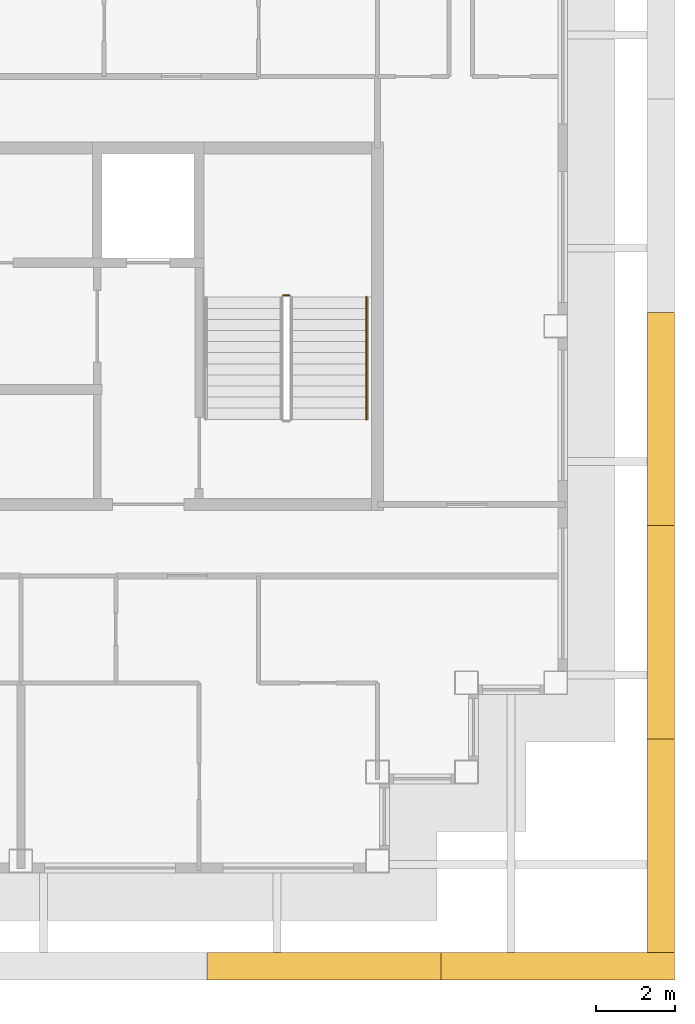
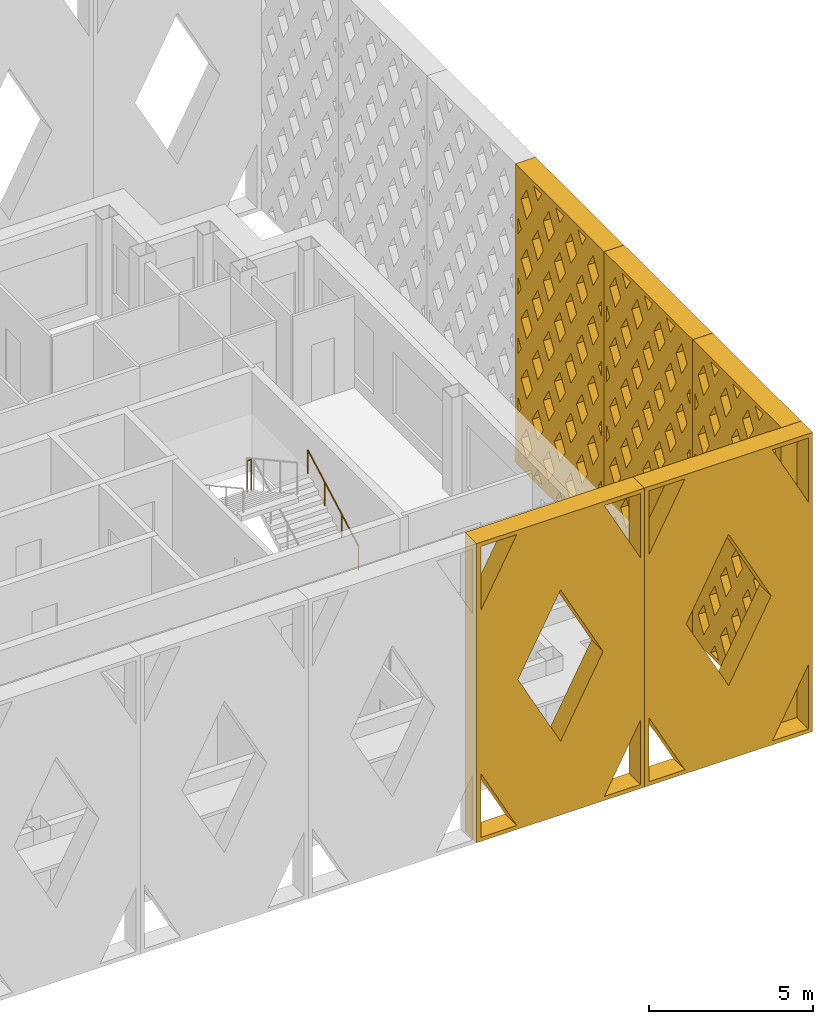
# One storey, part 12 of 13: 5 shading devices, 2 railings.
"""IFC4 building model written with IfcOpenShell, lengths in metres."""

from ifc_helpers import new_model, si_unit, direction, frame, origin, origin_2d, place, context, subcontext, project, spatial, polyline, circle, outline, extrude, material, type_object, element, save


model = new_model("IFC4")

# Units and contexts
model_context = context("Model", 3, precision=1e-05, world=origin(), true_north=direction((0.0, 1.0)))
body_context = subcontext(model_context, "Body", "Model", "MODEL_VIEW")
ifc_project = project(units=[si_unit("LENGTHUNIT", "METRE"), si_unit("AREAUNIT", "SQUARE_METRE"), si_unit("VOLUMEUNIT", "CUBIC_METRE"), si_unit("PLANEANGLEUNIT", "RADIAN"), si_unit("MASSUNIT", "GRAM", prefix="KILO")], contexts=[model_context])

# Site, building, storey
site_placement = place(None, origin())
site = spatial("IfcSite", under=ifc_project, at=site_placement, CompositionType="ELEMENT")
building_placement = place(site_placement, origin())
building = spatial("IfcBuilding", under=site, at=building_placement, Name="Caravel Reach Hotel and Residences", CompositionType="ELEMENT")
storey_placement = place(building_placement, frame((0.0, 0.0, 283.39990234375)))
storey = spatial("IfcBuildingStorey", under=building, at=storey_placement, Name="L72", CompositionType="ELEMENT", Elevation=283.39990234375)

# Shading devices
ifc_material_1 = material(Name="Black powder-coated aluminium", Category="aluminium")
shading_device_type_1 = type_object("IfcShadingDeviceType", Name="Diamond lattice screen panel 5383 x 11100", PredefinedType="USERDEFINED", material=ifc_material_1)
shading_device_1_placement = place(storey_placement, frame((51.800048828125, 11.199951171875, 0.0), z_axis=(1.0, 0.0, 0.0), x_axis=(0.0, 1.0, 0.0)))
element("IfcShadingDevice", 1, at=shading_device_1_placement, inside=storey, type_object=shading_device_type_1, Name="Lattice screen L72-L74 1.1", ObjectType="SCREEN", PredefinedType="USERDEFINED", context=body_context, shape_type="SweptSolid", body=[
    extrude(outline(polyline([(0.0, 0.0), (5.38330078125, 0.0), (5.38330078125, 11.10009765625), (0.0, 11.10009765625), (0.0, 0.0)]), holes=[polyline([(0.338134765625, 2.219970703125), (0.14990234375, 2.530517578125), (0.14990234375, 1.90966796875), (0.338134765625, 2.219970703125)]), polyline([(0.338134765625, 4.43994140625), (0.14990234375, 4.75048828125), (0.14990234375, 4.129638671875), (0.338134765625, 4.43994140625)]), polyline([(0.338134765625, 6.659912109375), (0.14990234375, 6.970458984375), (0.14990234375, 6.349609375), (0.338134765625, 6.659912109375)]), polyline([(0.338134765625, 8.8798828125), (0.14990234375, 9.1904296875), (0.14990234375, 8.569580078125), (0.338134765625, 8.8798828125)]), polyline([(0.6728515625, 1.667724609375), (0.334716796875, 1.110107421875), (0.6728515625, 0.55224609375), (1.010986328125, 1.110107421875), (0.6728515625, 1.667724609375)]), polyline([(0.6728515625, 3.887939453125), (0.334716796875, 3.330078125), (0.6728515625, 2.772216796875), (1.010986328125, 3.330078125), (0.6728515625, 3.887939453125)]), polyline([(0.6728515625, 6.10791015625), (0.334716796875, 5.550048828125), (0.6728515625, 4.9921875), (1.010986328125, 5.550048828125), (0.6728515625, 6.10791015625)]), polyline([(0.6728515625, 8.327880859375), (0.334716796875, 7.77001953125), (0.6728515625, 7.212158203125), (1.010986328125, 7.77001953125), (0.6728515625, 8.327880859375)]), polyline([(0.6728515625, 10.5478515625), (0.334716796875, 9.989990234375), (0.6728515625, 9.43212890625), (1.010986328125, 9.989990234375), (0.6728515625, 10.5478515625)]), polyline([(1.345947265625, 0.557861328125), (1.0986328125, 0.14990234375), (1.593017578125, 0.14990234375), (1.345947265625, 0.557861328125)]), polyline([(1.345947265625, 2.77783203125), (1.007568359375, 2.219970703125), (1.345947265625, 1.662109375), (1.68408203125, 2.219970703125), (1.345947265625, 2.77783203125)]), polyline([(1.345947265625, 4.997802734375), (1.007568359375, 4.43994140625), (1.345947265625, 3.882080078125), (1.68408203125, 4.43994140625), (1.345947265625, 4.997802734375)]), polyline([(1.345947265625, 7.2177734375), (1.007568359375, 6.659912109375), (1.345947265625, 6.10205078125), (1.68408203125, 6.659912109375), (1.345947265625, 7.2177734375)]), polyline([(1.345947265625, 9.437744140625), (1.007568359375, 8.8798828125), (1.345947265625, 8.322265625), (1.68408203125, 8.8798828125), (1.345947265625, 9.437744140625)]), polyline([(1.345947265625, 10.542236328125), (1.593017578125, 10.949951171875), (1.0986328125, 10.949951171875), (1.345947265625, 10.542236328125)]), polyline([(2.018798828125, 1.667724609375), (1.6806640625, 1.110107421875), (2.018798828125, 0.55224609375), (2.35693359375, 1.110107421875), (2.018798828125, 1.667724609375)]), polyline([(2.018798828125, 3.887939453125), (1.6806640625, 3.330078125), (2.018798828125, 2.772216796875), (2.35693359375, 3.330078125), (2.018798828125, 3.887939453125)]), polyline([(2.018798828125, 6.10791015625), (1.6806640625, 5.550048828125), (2.018798828125, 4.9921875), (2.35693359375, 5.550048828125), (2.018798828125, 6.10791015625)]), polyline([(2.018798828125, 8.327880859375), (1.6806640625, 7.77001953125), (2.018798828125, 7.212158203125), (2.35693359375, 7.77001953125), (2.018798828125, 8.327880859375)]), polyline([(2.018798828125, 10.5478515625), (1.6806640625, 9.989990234375), (2.018798828125, 9.43212890625), (2.35693359375, 9.989990234375), (2.018798828125, 10.5478515625)]), polyline([(2.691650390625, 0.557861328125), (2.4443359375, 0.14990234375), (2.93896484375, 0.14990234375), (2.691650390625, 0.557861328125)]), polyline([(2.691650390625, 2.77783203125), (2.353515625, 2.219970703125), (2.691650390625, 1.662109375), (3.02978515625, 2.219970703125), (2.691650390625, 2.77783203125)]), polyline([(2.691650390625, 4.997802734375), (2.353515625, 4.43994140625), (2.691650390625, 3.882080078125), (3.02978515625, 4.43994140625), (2.691650390625, 4.997802734375)]), polyline([(2.691650390625, 7.2177734375), (2.353515625, 6.659912109375), (2.691650390625, 6.10205078125), (3.02978515625, 6.659912109375), (2.691650390625, 7.2177734375)]), polyline([(2.691650390625, 9.437744140625), (2.353515625, 8.8798828125), (2.691650390625, 8.322265625), (3.02978515625, 8.8798828125), (2.691650390625, 9.437744140625)]), polyline([(2.691650390625, 10.542236328125), (2.93896484375, 10.949951171875), (2.4443359375, 10.949951171875), (2.691650390625, 10.542236328125)]), polyline([(3.364501953125, 1.667724609375), (3.0263671875, 1.110107421875), (3.364501953125, 0.55224609375), (3.702880859375, 1.110107421875), (3.364501953125, 1.667724609375)]), polyline([(3.364501953125, 3.887939453125), (3.0263671875, 3.330078125), (3.364501953125, 2.772216796875), (3.702880859375, 3.330078125), (3.364501953125, 3.887939453125)]), polyline([(3.364501953125, 6.10791015625), (3.0263671875, 5.550048828125), (3.364501953125, 4.9921875), (3.702880859375, 5.550048828125), (3.364501953125, 6.10791015625)]), polyline([(3.364501953125, 8.327880859375), (3.0263671875, 7.77001953125), (3.364501953125, 7.212158203125), (3.702880859375, 7.77001953125), (3.364501953125, 8.327880859375)]), polyline([(3.364501953125, 10.5478515625), (3.0263671875, 9.989990234375), (3.364501953125, 9.43212890625), (3.702880859375, 9.989990234375), (3.364501953125, 10.5478515625)]), polyline([(4.03759765625, 0.557861328125), (3.790283203125, 0.14990234375), (4.28466796875, 0.14990234375), (4.03759765625, 0.557861328125)]), polyline([(4.03759765625, 2.77783203125), (3.69921875, 2.219970703125), (4.03759765625, 1.662109375), (4.375732421875, 2.219970703125), (4.03759765625, 2.77783203125)]), polyline([(4.03759765625, 4.997802734375), (3.69921875, 4.43994140625), (4.03759765625, 3.882080078125), (4.375732421875, 4.43994140625), (4.03759765625, 4.997802734375)]), polyline([(4.03759765625, 7.2177734375), (3.69921875, 6.659912109375), (4.03759765625, 6.10205078125), (4.375732421875, 6.659912109375), (4.03759765625, 7.2177734375)]), polyline([(4.03759765625, 9.437744140625), (3.69921875, 8.8798828125), (4.03759765625, 8.322265625), (4.375732421875, 8.8798828125), (4.03759765625, 9.437744140625)]), polyline([(4.03759765625, 10.542236328125), (4.28466796875, 10.949951171875), (3.790283203125, 10.949951171875), (4.03759765625, 10.542236328125)]), polyline([(4.71044921875, 1.667724609375), (4.372314453125, 1.110107421875), (4.71044921875, 0.55224609375), (5.048583984375, 1.110107421875), (4.71044921875, 1.667724609375)]), polyline([(4.71044921875, 3.887939453125), (4.372314453125, 3.330078125), (4.71044921875, 2.772216796875), (5.048583984375, 3.330078125), (4.71044921875, 3.887939453125)]), polyline([(4.71044921875, 6.10791015625), (4.372314453125, 5.550048828125), (4.71044921875, 4.9921875), (5.048583984375, 5.550048828125), (4.71044921875, 6.10791015625)]), polyline([(4.71044921875, 8.327880859375), (4.372314453125, 7.77001953125), (4.71044921875, 7.212158203125), (5.048583984375, 7.77001953125), (4.71044921875, 8.327880859375)]), polyline([(4.71044921875, 10.5478515625), (4.372314453125, 9.989990234375), (4.71044921875, 9.43212890625), (5.048583984375, 9.989990234375), (4.71044921875, 10.5478515625)]), polyline([(5.045166015625, 2.219970703125), (5.2333984375, 1.90966796875), (5.2333984375, 2.530517578125), (5.045166015625, 2.219970703125)]), polyline([(5.045166015625, 4.43994140625), (5.2333984375, 4.129638671875), (5.2333984375, 4.75048828125), (5.045166015625, 4.43994140625)]), polyline([(5.045166015625, 6.659912109375), (5.2333984375, 6.349609375), (5.2333984375, 6.970458984375), (5.045166015625, 6.659912109375)]), polyline([(5.045166015625, 8.8798828125), (5.2333984375, 8.569580078125), (5.2333984375, 9.1904296875), (5.045166015625, 8.8798828125)])]), origin(), (0.0, 0.0, 1.0), 0.699951171875),
])
shading_device_2_placement = place(storey_placement, frame((51.800048828125, 16.583251953125, 0.0), z_axis=(1.0, 0.0, 0.0), x_axis=(0.0, 1.0, 0.0)))
element("IfcShadingDevice", 2, at=shading_device_2_placement, inside=storey, type_object=shading_device_type_1, Name="Lattice screen L72-L74 1.2", ObjectType="SCREEN", PredefinedType="USERDEFINED", context=body_context, shape_type="SweptSolid", body=[
    extrude(outline(polyline([(0.0, 0.0), (5.38330078125, 0.0), (5.38330078125, 11.10009765625), (0.0, 11.10009765625), (0.0, 0.0)]), holes=[polyline([(0.338134765625, 2.219970703125), (0.14990234375, 2.530517578125), (0.14990234375, 1.90966796875), (0.338134765625, 2.219970703125)]), polyline([(0.338134765625, 4.43994140625), (0.14990234375, 4.75048828125), (0.14990234375, 4.129638671875), (0.338134765625, 4.43994140625)]), polyline([(0.338134765625, 6.659912109375), (0.14990234375, 6.970458984375), (0.14990234375, 6.349609375), (0.338134765625, 6.659912109375)]), polyline([(0.338134765625, 8.8798828125), (0.14990234375, 9.1904296875), (0.14990234375, 8.569580078125), (0.338134765625, 8.8798828125)]), polyline([(0.6728515625, 1.667724609375), (0.334716796875, 1.110107421875), (0.6728515625, 0.55224609375), (1.010986328125, 1.110107421875), (0.6728515625, 1.667724609375)]), polyline([(0.6728515625, 3.887939453125), (0.334716796875, 3.330078125), (0.6728515625, 2.772216796875), (1.010986328125, 3.330078125), (0.6728515625, 3.887939453125)]), polyline([(0.6728515625, 6.10791015625), (0.334716796875, 5.550048828125), (0.6728515625, 4.9921875), (1.010986328125, 5.550048828125), (0.6728515625, 6.10791015625)]), polyline([(0.6728515625, 8.327880859375), (0.334716796875, 7.77001953125), (0.6728515625, 7.212158203125), (1.010986328125, 7.77001953125), (0.6728515625, 8.327880859375)]), polyline([(0.6728515625, 10.5478515625), (0.334716796875, 9.989990234375), (0.6728515625, 9.43212890625), (1.010986328125, 9.989990234375), (0.6728515625, 10.5478515625)]), polyline([(1.345947265625, 0.557861328125), (1.0986328125, 0.14990234375), (1.593017578125, 0.14990234375), (1.345947265625, 0.557861328125)]), polyline([(1.345947265625, 2.77783203125), (1.007568359375, 2.219970703125), (1.345947265625, 1.662109375), (1.68408203125, 2.219970703125), (1.345947265625, 2.77783203125)]), polyline([(1.345947265625, 4.997802734375), (1.007568359375, 4.43994140625), (1.345947265625, 3.882080078125), (1.68408203125, 4.43994140625), (1.345947265625, 4.997802734375)]), polyline([(1.345947265625, 7.2177734375), (1.007568359375, 6.659912109375), (1.345947265625, 6.10205078125), (1.68408203125, 6.659912109375), (1.345947265625, 7.2177734375)]), polyline([(1.345947265625, 9.437744140625), (1.007568359375, 8.8798828125), (1.345947265625, 8.322265625), (1.68408203125, 8.8798828125), (1.345947265625, 9.437744140625)]), polyline([(1.345947265625, 10.542236328125), (1.593017578125, 10.949951171875), (1.0986328125, 10.949951171875), (1.345947265625, 10.542236328125)]), polyline([(2.018798828125, 1.667724609375), (1.6806640625, 1.110107421875), (2.018798828125, 0.55224609375), (2.35693359375, 1.110107421875), (2.018798828125, 1.667724609375)]), polyline([(2.018798828125, 3.887939453125), (1.6806640625, 3.330078125), (2.018798828125, 2.772216796875), (2.35693359375, 3.330078125), (2.018798828125, 3.887939453125)]), polyline([(2.018798828125, 6.10791015625), (1.6806640625, 5.550048828125), (2.018798828125, 4.9921875), (2.35693359375, 5.550048828125), (2.018798828125, 6.10791015625)]), polyline([(2.018798828125, 8.327880859375), (1.6806640625, 7.77001953125), (2.018798828125, 7.212158203125), (2.35693359375, 7.77001953125), (2.018798828125, 8.327880859375)]), polyline([(2.018798828125, 10.5478515625), (1.6806640625, 9.989990234375), (2.018798828125, 9.43212890625), (2.35693359375, 9.989990234375), (2.018798828125, 10.5478515625)]), polyline([(2.691650390625, 0.557861328125), (2.4443359375, 0.14990234375), (2.93896484375, 0.14990234375), (2.691650390625, 0.557861328125)]), polyline([(2.691650390625, 2.77783203125), (2.353515625, 2.219970703125), (2.691650390625, 1.662109375), (3.02978515625, 2.219970703125), (2.691650390625, 2.77783203125)]), polyline([(2.691650390625, 4.997802734375), (2.353515625, 4.43994140625), (2.691650390625, 3.882080078125), (3.02978515625, 4.43994140625), (2.691650390625, 4.997802734375)]), polyline([(2.691650390625, 7.2177734375), (2.353515625, 6.659912109375), (2.691650390625, 6.10205078125), (3.02978515625, 6.659912109375), (2.691650390625, 7.2177734375)]), polyline([(2.691650390625, 9.437744140625), (2.353515625, 8.8798828125), (2.691650390625, 8.322265625), (3.02978515625, 8.8798828125), (2.691650390625, 9.437744140625)]), polyline([(2.691650390625, 10.542236328125), (2.93896484375, 10.949951171875), (2.4443359375, 10.949951171875), (2.691650390625, 10.542236328125)]), polyline([(3.364501953125, 1.667724609375), (3.0263671875, 1.110107421875), (3.364501953125, 0.55224609375), (3.702880859375, 1.110107421875), (3.364501953125, 1.667724609375)]), polyline([(3.364501953125, 3.887939453125), (3.0263671875, 3.330078125), (3.364501953125, 2.772216796875), (3.702880859375, 3.330078125), (3.364501953125, 3.887939453125)]), polyline([(3.364501953125, 6.10791015625), (3.0263671875, 5.550048828125), (3.364501953125, 4.9921875), (3.702880859375, 5.550048828125), (3.364501953125, 6.10791015625)]), polyline([(3.364501953125, 8.327880859375), (3.0263671875, 7.77001953125), (3.364501953125, 7.212158203125), (3.702880859375, 7.77001953125), (3.364501953125, 8.327880859375)]), polyline([(3.364501953125, 10.5478515625), (3.0263671875, 9.989990234375), (3.364501953125, 9.43212890625), (3.702880859375, 9.989990234375), (3.364501953125, 10.5478515625)]), polyline([(4.03759765625, 0.557861328125), (3.790283203125, 0.14990234375), (4.28466796875, 0.14990234375), (4.03759765625, 0.557861328125)]), polyline([(4.03759765625, 2.77783203125), (3.69921875, 2.219970703125), (4.03759765625, 1.662109375), (4.375732421875, 2.219970703125), (4.03759765625, 2.77783203125)]), polyline([(4.03759765625, 4.997802734375), (3.69921875, 4.43994140625), (4.03759765625, 3.882080078125), (4.375732421875, 4.43994140625), (4.03759765625, 4.997802734375)]), polyline([(4.03759765625, 7.2177734375), (3.69921875, 6.659912109375), (4.03759765625, 6.10205078125), (4.375732421875, 6.659912109375), (4.03759765625, 7.2177734375)]), polyline([(4.03759765625, 9.437744140625), (3.69921875, 8.8798828125), (4.03759765625, 8.322265625), (4.375732421875, 8.8798828125), (4.03759765625, 9.437744140625)]), polyline([(4.03759765625, 10.542236328125), (4.28466796875, 10.949951171875), (3.790283203125, 10.949951171875), (4.03759765625, 10.542236328125)]), polyline([(4.71044921875, 1.667724609375), (4.372314453125, 1.110107421875), (4.71044921875, 0.55224609375), (5.048583984375, 1.110107421875), (4.71044921875, 1.667724609375)]), polyline([(4.71044921875, 3.887939453125), (4.372314453125, 3.330078125), (4.71044921875, 2.772216796875), (5.048583984375, 3.330078125), (4.71044921875, 3.887939453125)]), polyline([(4.71044921875, 6.10791015625), (4.372314453125, 5.550048828125), (4.71044921875, 4.9921875), (5.048583984375, 5.550048828125), (4.71044921875, 6.10791015625)]), polyline([(4.71044921875, 8.327880859375), (4.372314453125, 7.77001953125), (4.71044921875, 7.212158203125), (5.048583984375, 7.77001953125), (4.71044921875, 8.327880859375)]), polyline([(4.71044921875, 10.5478515625), (4.372314453125, 9.989990234375), (4.71044921875, 9.43212890625), (5.048583984375, 9.989990234375), (4.71044921875, 10.5478515625)]), polyline([(5.045166015625, 2.219970703125), (5.2333984375, 1.90966796875), (5.2333984375, 2.530517578125), (5.045166015625, 2.219970703125)]), polyline([(5.045166015625, 4.43994140625), (5.2333984375, 4.129638671875), (5.2333984375, 4.75048828125), (5.045166015625, 4.43994140625)]), polyline([(5.045166015625, 6.659912109375), (5.2333984375, 6.349609375), (5.2333984375, 6.970458984375), (5.045166015625, 6.659912109375)]), polyline([(5.045166015625, 8.8798828125), (5.2333984375, 8.569580078125), (5.2333984375, 9.1904296875), (5.045166015625, 8.8798828125)])]), origin(), (0.0, 0.0, 1.0), 0.699951171875),
])
shading_device_3_placement = place(storey_placement, frame((51.800048828125, 21.966552734375, 0.0), z_axis=(1.0, 0.0, 0.0), x_axis=(0.0, 1.0, 0.0)))
element("IfcShadingDevice", 3, at=shading_device_3_placement, inside=storey, type_object=shading_device_type_1, Name="Lattice screen L72-L74 1.3", ObjectType="SCREEN", PredefinedType="USERDEFINED", context=body_context, shape_type="SweptSolid", body=[
    extrude(outline(polyline([(0.0, 0.0), (5.38330078125, 0.0), (5.38330078125, 11.10009765625), (0.0, 11.10009765625), (0.0, 0.0)]), holes=[polyline([(0.338134765625, 2.219970703125), (0.14990234375, 2.530517578125), (0.14990234375, 1.90966796875), (0.338134765625, 2.219970703125)]), polyline([(0.338134765625, 4.43994140625), (0.14990234375, 4.75048828125), (0.14990234375, 4.129638671875), (0.338134765625, 4.43994140625)]), polyline([(0.338134765625, 6.659912109375), (0.14990234375, 6.970458984375), (0.14990234375, 6.349609375), (0.338134765625, 6.659912109375)]), polyline([(0.338134765625, 8.8798828125), (0.14990234375, 9.1904296875), (0.14990234375, 8.569580078125), (0.338134765625, 8.8798828125)]), polyline([(0.6728515625, 1.667724609375), (0.334716796875, 1.110107421875), (0.6728515625, 0.55224609375), (1.010986328125, 1.110107421875), (0.6728515625, 1.667724609375)]), polyline([(0.6728515625, 3.887939453125), (0.334716796875, 3.330078125), (0.6728515625, 2.772216796875), (1.010986328125, 3.330078125), (0.6728515625, 3.887939453125)]), polyline([(0.6728515625, 6.10791015625), (0.334716796875, 5.550048828125), (0.6728515625, 4.9921875), (1.010986328125, 5.550048828125), (0.6728515625, 6.10791015625)]), polyline([(0.6728515625, 8.327880859375), (0.334716796875, 7.77001953125), (0.6728515625, 7.212158203125), (1.010986328125, 7.77001953125), (0.6728515625, 8.327880859375)]), polyline([(0.6728515625, 10.5478515625), (0.334716796875, 9.989990234375), (0.6728515625, 9.43212890625), (1.010986328125, 9.989990234375), (0.6728515625, 10.5478515625)]), polyline([(1.345947265625, 0.557861328125), (1.0986328125, 0.14990234375), (1.593017578125, 0.14990234375), (1.345947265625, 0.557861328125)]), polyline([(1.345947265625, 2.77783203125), (1.007568359375, 2.219970703125), (1.345947265625, 1.662109375), (1.68408203125, 2.219970703125), (1.345947265625, 2.77783203125)]), polyline([(1.345947265625, 4.997802734375), (1.007568359375, 4.43994140625), (1.345947265625, 3.882080078125), (1.68408203125, 4.43994140625), (1.345947265625, 4.997802734375)]), polyline([(1.345947265625, 7.2177734375), (1.007568359375, 6.659912109375), (1.345947265625, 6.10205078125), (1.68408203125, 6.659912109375), (1.345947265625, 7.2177734375)]), polyline([(1.345947265625, 9.437744140625), (1.007568359375, 8.8798828125), (1.345947265625, 8.322265625), (1.68408203125, 8.8798828125), (1.345947265625, 9.437744140625)]), polyline([(1.345947265625, 10.542236328125), (1.593017578125, 10.949951171875), (1.0986328125, 10.949951171875), (1.345947265625, 10.542236328125)]), polyline([(2.018798828125, 1.667724609375), (1.6806640625, 1.110107421875), (2.018798828125, 0.55224609375), (2.35693359375, 1.110107421875), (2.018798828125, 1.667724609375)]), polyline([(2.018798828125, 3.887939453125), (1.6806640625, 3.330078125), (2.018798828125, 2.772216796875), (2.35693359375, 3.330078125), (2.018798828125, 3.887939453125)]), polyline([(2.018798828125, 6.10791015625), (1.6806640625, 5.550048828125), (2.018798828125, 4.9921875), (2.35693359375, 5.550048828125), (2.018798828125, 6.10791015625)]), polyline([(2.018798828125, 8.327880859375), (1.6806640625, 7.77001953125), (2.018798828125, 7.212158203125), (2.35693359375, 7.77001953125), (2.018798828125, 8.327880859375)]), polyline([(2.018798828125, 10.5478515625), (1.6806640625, 9.989990234375), (2.018798828125, 9.43212890625), (2.35693359375, 9.989990234375), (2.018798828125, 10.5478515625)]), polyline([(2.691650390625, 0.557861328125), (2.4443359375, 0.14990234375), (2.93896484375, 0.14990234375), (2.691650390625, 0.557861328125)]), polyline([(2.691650390625, 2.77783203125), (2.353515625, 2.219970703125), (2.691650390625, 1.662109375), (3.02978515625, 2.219970703125), (2.691650390625, 2.77783203125)]), polyline([(2.691650390625, 4.997802734375), (2.353515625, 4.43994140625), (2.691650390625, 3.882080078125), (3.02978515625, 4.43994140625), (2.691650390625, 4.997802734375)]), polyline([(2.691650390625, 7.2177734375), (2.353515625, 6.659912109375), (2.691650390625, 6.10205078125), (3.02978515625, 6.659912109375), (2.691650390625, 7.2177734375)]), polyline([(2.691650390625, 9.437744140625), (2.353515625, 8.8798828125), (2.691650390625, 8.322265625), (3.02978515625, 8.8798828125), (2.691650390625, 9.437744140625)]), polyline([(2.691650390625, 10.542236328125), (2.93896484375, 10.949951171875), (2.4443359375, 10.949951171875), (2.691650390625, 10.542236328125)]), polyline([(3.364501953125, 1.667724609375), (3.0263671875, 1.110107421875), (3.364501953125, 0.55224609375), (3.702880859375, 1.110107421875), (3.364501953125, 1.667724609375)]), polyline([(3.364501953125, 3.887939453125), (3.0263671875, 3.330078125), (3.364501953125, 2.772216796875), (3.702880859375, 3.330078125), (3.364501953125, 3.887939453125)]), polyline([(3.364501953125, 6.10791015625), (3.0263671875, 5.550048828125), (3.364501953125, 4.9921875), (3.702880859375, 5.550048828125), (3.364501953125, 6.10791015625)]), polyline([(3.364501953125, 8.327880859375), (3.0263671875, 7.77001953125), (3.364501953125, 7.212158203125), (3.702880859375, 7.77001953125), (3.364501953125, 8.327880859375)]), polyline([(3.364501953125, 10.5478515625), (3.0263671875, 9.989990234375), (3.364501953125, 9.43212890625), (3.702880859375, 9.989990234375), (3.364501953125, 10.5478515625)]), polyline([(4.03759765625, 0.557861328125), (3.790283203125, 0.14990234375), (4.28466796875, 0.14990234375), (4.03759765625, 0.557861328125)]), polyline([(4.03759765625, 2.77783203125), (3.69921875, 2.219970703125), (4.03759765625, 1.662109375), (4.375732421875, 2.219970703125), (4.03759765625, 2.77783203125)]), polyline([(4.03759765625, 4.997802734375), (3.69921875, 4.43994140625), (4.03759765625, 3.882080078125), (4.375732421875, 4.43994140625), (4.03759765625, 4.997802734375)]), polyline([(4.03759765625, 7.2177734375), (3.69921875, 6.659912109375), (4.03759765625, 6.10205078125), (4.375732421875, 6.659912109375), (4.03759765625, 7.2177734375)]), polyline([(4.03759765625, 9.437744140625), (3.69921875, 8.8798828125), (4.03759765625, 8.322265625), (4.375732421875, 8.8798828125), (4.03759765625, 9.437744140625)]), polyline([(4.03759765625, 10.542236328125), (4.28466796875, 10.949951171875), (3.790283203125, 10.949951171875), (4.03759765625, 10.542236328125)]), polyline([(4.71044921875, 1.667724609375), (4.372314453125, 1.110107421875), (4.71044921875, 0.55224609375), (5.048583984375, 1.110107421875), (4.71044921875, 1.667724609375)]), polyline([(4.71044921875, 3.887939453125), (4.372314453125, 3.330078125), (4.71044921875, 2.772216796875), (5.048583984375, 3.330078125), (4.71044921875, 3.887939453125)]), polyline([(4.71044921875, 6.10791015625), (4.372314453125, 5.550048828125), (4.71044921875, 4.9921875), (5.048583984375, 5.550048828125), (4.71044921875, 6.10791015625)]), polyline([(4.71044921875, 8.327880859375), (4.372314453125, 7.77001953125), (4.71044921875, 7.212158203125), (5.048583984375, 7.77001953125), (4.71044921875, 8.327880859375)]), polyline([(4.71044921875, 10.5478515625), (4.372314453125, 9.989990234375), (4.71044921875, 9.43212890625), (5.048583984375, 9.989990234375), (4.71044921875, 10.5478515625)]), polyline([(5.045166015625, 2.219970703125), (5.2333984375, 1.90966796875), (5.2333984375, 2.530517578125), (5.045166015625, 2.219970703125)]), polyline([(5.045166015625, 4.43994140625), (5.2333984375, 4.129638671875), (5.2333984375, 4.75048828125), (5.045166015625, 4.43994140625)]), polyline([(5.045166015625, 6.659912109375), (5.2333984375, 6.349609375), (5.2333984375, 6.970458984375), (5.045166015625, 6.659912109375)]), polyline([(5.045166015625, 8.8798828125), (5.2333984375, 8.569580078125), (5.2333984375, 9.1904296875), (5.045166015625, 8.8798828125)])]), origin(), (0.0, 0.0, 1.0), 0.699951171875),
])
ifc_material_2 = material(Name="Black powder-coated aluminium", Category="aluminium")
shading_device_type_2 = type_object("IfcShadingDeviceType", Name="Diamond lattice screen panel 5900 x 11100", PredefinedType="USERDEFINED", material=ifc_material_2)
for number, where, z_axis, x_axis, name in (
    (4, (40.699951171875, 11.199951171875, 0.0), (0.0, -1.0, 0.0), (1.0, 0.0, 0.0), "Lattice screen L72-L74 4.6"),
    (5, (46.60009765625, 11.199951171875, 0.0), (0.0, -1.0, 0.0), (1.0, 0.0, 0.0), "Lattice screen L72-L74 4.7"),
):
    element("IfcShadingDevice", number, at=place(storey_placement, frame(where, z_axis=z_axis, x_axis=x_axis)), inside=storey, type_object=shading_device_type_2, Name=name, ObjectType="SCREEN", PredefinedType="USERDEFINED", context=body_context, shape_type="SweptSolid", body=[
        extrude(outline(polyline([(0.0, 0.0), (5.89990234375, 0.0), (5.89990234375, 11.10009765625), (0.0, 11.10009765625), (0.0, 0.0)]), holes=[polyline([(1.4140625, 0.14990234375), (0.14990234375, 2.528076171875), (0.14990234375, 0.14990234375), (1.4140625, 0.14990234375)]), polyline([(0.14990234375, 8.572021484375), (1.4140625, 10.949951171875), (0.14990234375, 10.949951171875), (0.14990234375, 8.572021484375)]), polyline([(2.949951171875, 8.3603515625), (1.456298828125, 5.550048828125), (2.949951171875, 2.73974609375), (4.44384765625, 5.550048828125), (2.949951171875, 8.3603515625)]), polyline([(5.75, 2.528076171875), (4.486083984375, 0.14990234375), (5.75, 0.14990234375), (5.75, 2.528076171875)]), polyline([(4.486083984375, 10.949951171875), (5.75, 8.572021484375), (5.75, 10.949951171875), (4.486083984375, 10.949951171875)])]), origin(), (0.0, 0.0, 1.0), 0.699951171875),
    ])

# Railings
ifc_material_3 = material(Name="Steel balustrade with glass infill", Category="steel")
railing_type_1 = type_object("IfcRailingType", Name="Guard 1200", PredefinedType="GUARDRAIL", material=ifc_material_3)
railing_1_placement = place(storey_placement, frame((42.77490234375, 27.780029296875, 1.85009765625)))
element("IfcRailing", 6, at=railing_1_placement, inside=storey, type_object=railing_type_1, Name="L72 ST-B stair guard 2", PredefinedType="GUARDRAIL", context=body_context, shape_type="SweptSolid", body=[
    extrude(circle(Radius=0.02392578125, at=origin_2d()), frame((0.0, 0.0, 1.17578125), z_axis=(-1.0, 0.0, 0.0), x_axis=(0.0, -1.0, 0.0)), (0.0, 0.0, 1.0), 0.14990234375),
    extrude(circle(Radius=0.02099609375, at=origin_2d()), origin(), (0.0, 0.0, 1.0), 1.15185546875),
    extrude(circle(Radius=0.02099609375, at=origin_2d()), frame((-0.14990234375, 0.0, 0.0)), (0.0, 0.0, 1.0), 1.15185546875),
])
ifc_material_4 = material(Name="Stainless steel handrail", Category="steel")
railing_type_2 = type_object("IfcRailingType", Name="Handrail 900", PredefinedType="HANDRAIL", material=ifc_material_4)
railing_2_placement = place(storey_placement, frame((44.72509765625, 24.64990234375, 0.154296875)))
element("IfcRailing", 7, at=railing_2_placement, inside=storey, type_object=railing_type_2, Name="L72 ST-B stair handrail 1", PredefinedType="HANDRAIL", context=body_context, shape_type="SweptSolid", body=[
    extrude(circle(Radius=0.02392578125, at=origin_2d()), frame((0.0, 0.0, 0.8759765625), z_axis=(0.0, 0.876004717809, 0.482302534076), x_axis=(-1.0, 0.0, 0.0)), (0.0, 0.0, 1.0), 3.51611328125),
    extrude(circle(Radius=0.02099609375, at=origin_2d()), origin(), (0.0, 0.0, 1.0), 0.851806640625),
    extrude(circle(Radius=0.02099609375, at=origin_2d()), frame((0.0, 1.026611328125, 0.565185546875)), (0.0, 0.0, 1.0), 0.851806640625),
    extrude(circle(Radius=0.02099609375, at=origin_2d()), frame((0.0, 2.053466796875, 1.130615234375)), (0.0, 0.0, 1.0), 0.851806640625),
    extrude(circle(Radius=0.02099609375, at=origin_2d()), frame((0.0, 3.080078125, 1.69580078125)), (0.0, 0.0, 1.0), 0.851806640625),
])

save(model, "model.ifc")
